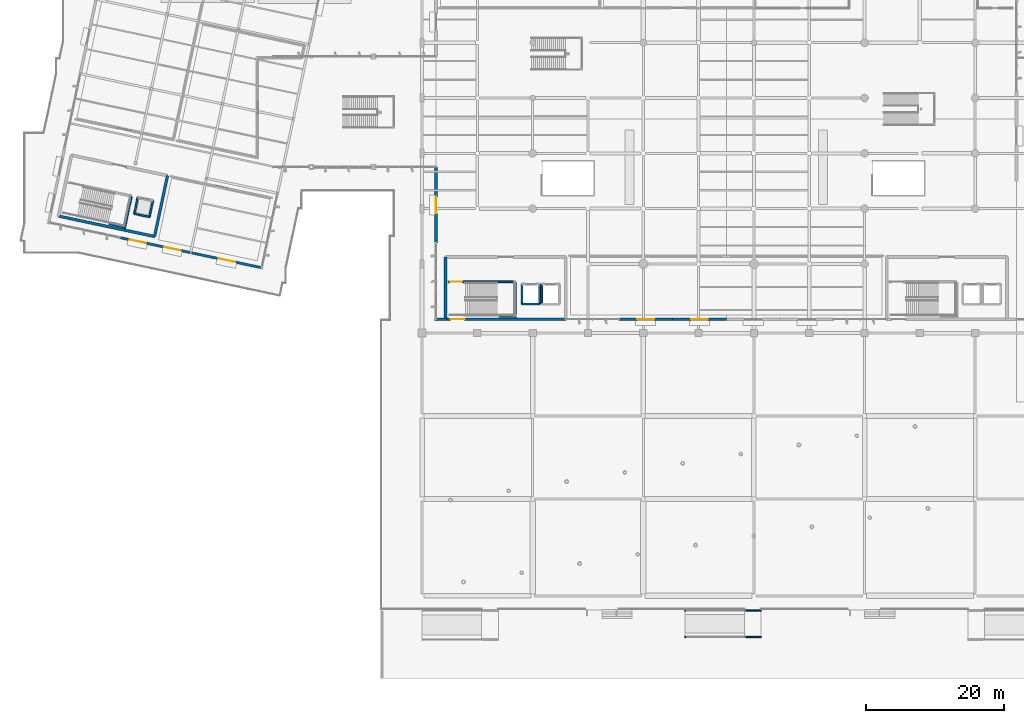
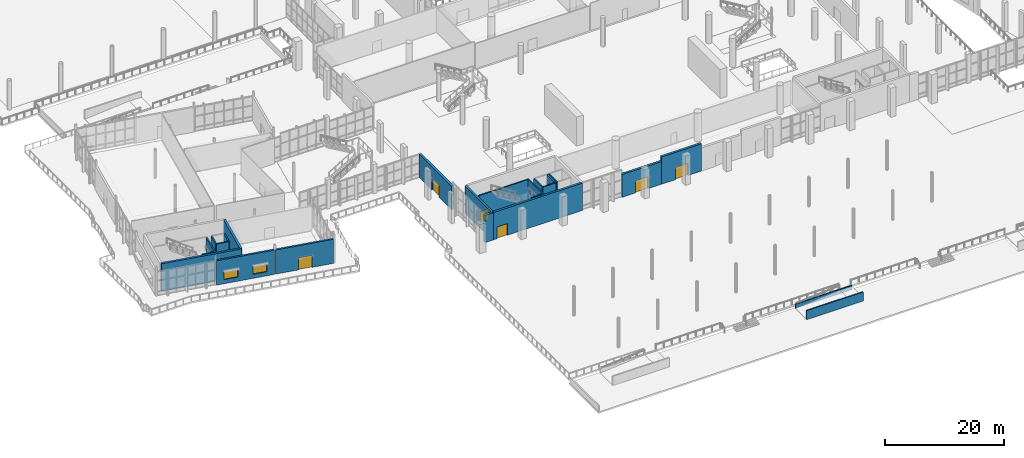
# One storey, part 122 of 163: 24 walls, 6 doors, 2 windows, 8 openings.
"""IFC4 building model written with IfcOpenShell, lengths in metres."""

from ifc_helpers import new_model, si_unit, direction, frame, frame_2d, origin, place, context, subcontext, project, spatial, rectangle, extrude, material, layer, layer_set, type_object, element, fill, save


model = new_model("IFC4")

# Units and contexts
model_context = context("Model", 3, precision=1e-05, world=origin(), true_north=direction((0.0, 1.0)))
body_context = subcontext(model_context, "Body", "Model", "MODEL_VIEW")
ifc_project = project(units=[si_unit("LENGTHUNIT", "METRE"), si_unit("AREAUNIT", "SQUARE_METRE"), si_unit("VOLUMEUNIT", "CUBIC_METRE"), si_unit("PLANEANGLEUNIT", "RADIAN"), si_unit("MASSUNIT", "GRAM", prefix="KILO")], contexts=[model_context])

# Site, building, storey
site_placement = place(None, origin())
site = spatial("IfcSite", under=ifc_project, at=site_placement, CompositionType="ELEMENT")
building_placement = place(site_placement, origin())
building = spatial("IfcBuilding", under=site, at=building_placement, Name="Khorjan Park Terminus", CompositionType="ELEMENT")
storey_placement = place(building_placement, origin())
storey = spatial("IfcBuildingStorey", under=building, at=storey_placement, Name="L00", CompositionType="ELEMENT", Elevation=0.0)

# Walls
ifc_material_1 = material(Name="Concrete C50/60", Category="concrete")
ifc_layer_1 = layer(ifc_material_1, 0.4)
ifc_layer_set_1 = layer_set([ifc_layer_1], Name="Concrete C50/60")
wall_type_1 = type_object("IfcWallType", Name="CW-40", PredefinedType="SHEAR", material=ifc_layer_set_1)
wall_1_placement = place(storey_placement, frame((51.4, 37.0, 0.0), z_axis=(0.0, 0.0, 1.0), x_axis=(0.0, -1.0, 0.0)))
element("IfcWall", 1, at=wall_1_placement, inside=storey, type_object=wall_type_1, Name="West Concourse Core concrete shear wall CW-40 (L00-E4)", PredefinedType="SHEAR", context=body_context, shape_type="SweptSolid", body=[
    extrude(rectangle(XDim=9.0, YDim=0.4, at=frame_2d((4.5, 0.0))), origin(), (0.0, 0.0, 1.0), 5.64),
])
wall_2_placement = place(storey_placement, frame((-4.5767, 42.9243, 0.0), z_axis=(0.0, 0.0, 1.0), x_axis=(0.978148272054, -0.20790853248, 0.0)))
element("IfcWall", 2, at=wall_2_placement, inside=storey, type_object=wall_type_1, Name="Park Pavilion Exit Core concrete shear wall CW-40 (L00-E1)", PredefinedType="SHEAR", context=body_context, shape_type="SweptSolid", body=[
    extrude(rectangle(XDim=14.2, YDim=0.4, at=frame_2d((7.1, 0.0))), origin(), (0.0, 0.0, 1.0), 5.64),
])
wall_3_placement = place(storey_placement, frame((9.313, 39.972, 0.0), z_axis=(0.0, 0.0, 1.0), x_axis=(0.20791177806, 0.97814758219, 0.0)))
element("IfcWall", 3, at=wall_3_placement, inside=storey, type_object=wall_type_1, Name="Park Pavilion Exit Core concrete shear wall CW-40 (L00-E2)", PredefinedType="SHEAR", context=body_context, shape_type="SweptSolid", body=[
    extrude(rectangle(XDim=9.0, YDim=0.4, at=frame_2d((4.5, 0.0))), origin(), (0.0, 0.0, 1.0), 5.64),
])

# Wall, opening, door
ifc_layer_2 = layer(ifc_material_1, 0.4)
ifc_layer_set_2 = layer_set([ifc_layer_2], Name="Concrete C50/60")
wall_type_2 = type_object("IfcWallType", Name="CWE-40", PredefinedType="SHEAR", material=ifc_layer_set_2)
wall_4_placement = place(storey_placement, frame((51.4, 28.0, 0.0), z_axis=(0.0, 0.0, 1.0), x_axis=(1.0, 0.0, 0.0)))
wall_4 = element("IfcWall", 4, at=wall_4_placement, inside=storey, type_object=wall_type_2, Name="West Concourse Core concrete shear wall CWE-40 (L00-E1)", PredefinedType="SHEAR", context=body_context, shape_type="SweptSolid", body=[
    extrude(rectangle(XDim=17.4, YDim=0.4, at=frame_2d((8.7, 0.0))), origin(), (0.0, 0.0, 1.0), 5.64),
])
opening_1_placement = place(wall_4_placement, frame((0.75, 0.0, 0.0)))
opening_1 = element("IfcOpeningElement", 5, at=opening_1_placement, cuts=wall_4, Name="Opening ED-20", PredefinedType="OPENING", context=body_context, shape_type="SweptSolid", body=[
    extrude(rectangle(XDim=2.0, YDim=2.4, at=frame_2d((1.0, 1.2))), frame((0.0, 0.21, 0.0), z_axis=(0.0, -1.0, 0.0), x_axis=(1.0, 0.0, 0.0)), (0.0, 0.0, 1.0), 0.42),
])
ifc_material_2 = material(Name="Anodized Bronze Aluminium & Safety Glass", Category="aluminium")
door_type_1 = type_object("IfcDoorType", Name="ED-20", OperationType="NOTDEFINED", PredefinedType="DOOR", material=ifc_material_2)
door_1_placement = place(opening_1_placement, frame((2.0, 0.0, 0.0), z_axis=(0.0, 0.0, 1.0), x_axis=(-1.0, 0.0, 0.0)))
door_1 = element("IfcDoor", 6, at=door_1_placement, inside=storey, type_object=door_type_1, Name="West Concourse Core ground exit discharge door ED-20", OperationType="DOUBLE_DOOR_SINGLE_SWING", OverallHeight=2.4, OverallWidth=2.0, PredefinedType="DOOR", context=body_context, shape_type="SweptSolid", body=[
    extrude(rectangle(XDim=2.0, YDim=2.4, at=frame_2d((1.0, 1.2))), frame((0.0, 0.025, 0.0), z_axis=(0.0, -1.0, 0.0), x_axis=(1.0, 0.0, 0.0)), (0.0, 0.0, 1.0), 0.05),
])
fill(opening_1, door_1)

# Wall, openings, windows
ifc_material_3 = material(Name="Pigmented Precast GRC & Concrete C40/50", Category="concrete")
ifc_layer_3 = layer(ifc_material_3, 0.35)
ifc_layer_set_3 = layer_set([ifc_layer_3], Name="Pigmented Precast GRC & Concrete C40/50")
wall_type_3 = type_object("IfcWallType", Name="EW-35", PredefinedType="STANDARD", material=ifc_layer_set_3)
wall_5_placement = place(storey_placement, frame((4.3737, 39.795, 0.0), z_axis=(0.0, 0.0, 1.0), x_axis=(0.978149513342, -0.207902692501, 0.0)))
wall_5 = element("IfcWall", 7, at=wall_5_placement, inside=storey, type_object=wall_type_3, Name="External pigmented-GRC insulated wall EW-35 (EW-V4-S-L00-B02)", PredefinedType="STANDARD", context=body_context, shape_type="SweptSolid", body=[
    extrude(rectangle(XDim=10.2894, YDim=0.35, at=frame_2d((5.1447, 0.0))), origin(), (0.0, 0.0, 1.0), 5.015),
])
opening_2_placement = place(wall_5_placement, frame((1.3724, 0.0, 0.85)))
opening_2 = element("IfcOpeningElement", 8, at=opening_2_placement, cuts=wall_5, Name="Opening WN-24", PredefinedType="OPENING", context=body_context, shape_type="SweptSolid", body=[
    extrude(rectangle(XDim=2.4, YDim=1.8, at=frame_2d((1.2, 0.9))), frame((0.0, 0.185, 0.0), z_axis=(0.0, -1.0, 0.0), x_axis=(1.0, 0.0, 0.0)), (0.0, 0.0, 1.0), 0.37),
])
opening_3_placement = place(wall_5_placement, frame((6.5171, 0.0, 0.85)))
opening_3 = element("IfcOpeningElement", 9, at=opening_3_placement, cuts=wall_5, Name="Opening WN-24", PredefinedType="OPENING", context=body_context, shape_type="SweptSolid", body=[
    extrude(rectangle(XDim=2.4, YDim=1.8, at=frame_2d((1.2, 0.9))), frame((0.0, 0.185, 0.0), z_axis=(0.0, -1.0, 0.0), x_axis=(1.0, 0.0, 0.0)), (0.0, 0.0, 1.0), 0.37),
])
ifc_material_4 = material(Name="Anodized Bronze Aluminium & Low-E Glass", Category="aluminium")
window_type = type_object("IfcWindowType", Name="WN-24", PartitioningType="SINGLE_PANEL", PredefinedType="WINDOW", material=ifc_material_4)
window_1_placement = place(opening_2_placement, origin())
window_1 = element("IfcWindow", 10, at=window_1_placement, inside=storey, type_object=window_type, Name="Solar-control exterior window WN-24 (WN-EW-V4-S-L00-B02-1)", OverallHeight=1.8, OverallWidth=2.4, PartitioningType="SINGLE_PANEL", PredefinedType="WINDOW", context=body_context, shape_type="SweptSolid", body=[
    extrude(rectangle(XDim=2.4, YDim=1.8, at=frame_2d((1.2, 0.9))), frame((0.0, 0.03, 0.0), z_axis=(0.0, -1.0, 0.0), x_axis=(1.0, 0.0, 0.0)), (0.0, 0.0, 1.0), 0.06),
])
fill(opening_2, window_1)
window_2_placement = place(opening_3_placement, origin())
window_2 = element("IfcWindow", 11, at=window_2_placement, inside=storey, type_object=window_type, Name="Solar-control exterior window WN-24 (WN-EW-V4-S-L00-B02-2)", OverallHeight=1.8, OverallWidth=2.4, PartitioningType="SINGLE_PANEL", PredefinedType="WINDOW", context=body_context, shape_type="SweptSolid", body=[
    extrude(rectangle(XDim=2.4, YDim=1.8, at=frame_2d((1.2, 0.9))), frame((0.0, 0.03, 0.0), z_axis=(0.0, -1.0, 0.0), x_axis=(1.0, 0.0, 0.0)), (0.0, 0.0, 1.0), 0.06),
])
fill(opening_3, window_2)

# Wall, opening, door
wall_6_placement = place(storey_placement, frame((14.6437, 37.6121, 0.0), z_axis=(0.0, 0.0, 1.0), x_axis=(0.978146142238, -0.207918552381, 0.0)))
wall_6 = element("IfcWall", 12, at=wall_6_placement, inside=storey, type_object=wall_type_3, Name="External pigmented-GRC insulated wall EW-35 (EW-V4-S-L00-B03)", PredefinedType="STANDARD", context=body_context, shape_type="SweptSolid", body=[
    extrude(rectangle(XDim=10.2805, YDim=0.35, at=frame_2d((5.1402, 0.0))), origin(), (0.0, 0.0, 1.0), 4.975),
])
opening_4_placement = place(wall_6_placement, frame((4.05, 0.0, 0.0)))
opening_4 = element("IfcOpeningElement", 13, at=opening_4_placement, cuts=wall_6, Name="Opening ED-24", PredefinedType="OPENING", context=body_context, shape_type="SweptSolid", body=[
    extrude(rectangle(XDim=2.4, YDim=2.5, at=frame_2d((1.2, 1.25))), frame((0.0, 0.185, 0.0), z_axis=(0.0, -1.0, 0.0), x_axis=(1.0, 0.0, 0.0)), (0.0, 0.0, 1.0), 0.37),
])
door_type_2 = type_object("IfcDoorType", Name="ED-24", OperationType="NOTDEFINED", PredefinedType="DOOR", material=ifc_material_2)
door_2_placement = place(opening_4_placement, origin())
door_2 = element("IfcDoor", 14, at=door_2_placement, inside=storey, type_object=door_type_2, Name="Exterior door ED-24 (DR-EW-V4-S-L00-B03)", OperationType="DOUBLE_DOOR_SINGLE_SWING", OverallHeight=2.5, OverallWidth=2.4, PredefinedType="DOOR", context=body_context, shape_type="SweptSolid", body=[
    extrude(rectangle(XDim=2.4, YDim=2.5, at=frame_2d((1.2, 1.25))), frame((0.0, 0.025, 0.0), z_axis=(0.0, -1.0, 0.0), x_axis=(1.0, 0.0, 0.0)), (0.0, 0.0, 1.0), 0.05),
])
fill(opening_4, door_2)

# Wall
ifc_layer_4 = layer(ifc_material_3, 0.42)
ifc_layer_set_4 = layer_set([ifc_layer_4], Name="Pigmented Precast GRC & Concrete C40/50")
wall_type_4 = type_object("IfcWallType", Name="EW-42", PredefinedType="STANDARD", material=ifc_layer_set_4)
wall_7_placement = place(storey_placement, frame((49.8, 28.0, 0.0), z_axis=(0.0, 0.0, 1.0), x_axis=(1.0, 0.0, 0.0)))
element("IfcWall", 15, at=wall_7_placement, inside=storey, type_object=wall_type_4, Name="External pigmented-GRC pier wall EW-42 (L00-1)", PredefinedType="STANDARD", context=body_context, shape_type="SweptSolid", body=[
    extrude(rectangle(XDim=1.7, YDim=0.42, at=frame_2d((0.85, 0.0))), origin(), (0.0, 0.0, 1.0), 5.62),
])

# Wall, opening, door
wall_8_placement = place(storey_placement, frame((76.5, 28.0, 0.0), z_axis=(0.0, 0.0, 1.0), x_axis=(1.0, 0.0, 0.0)))
wall_8 = element("IfcWall", 16, at=wall_8_placement, inside=storey, type_object=wall_type_4, Name="External pigmented-GRC insulated wall EW-42 (EW-V2-S-L00-03)", PredefinedType="STANDARD", context=body_context, shape_type="SweptSolid", body=[
    extrude(rectangle(XDim=7.7, YDim=0.42, at=frame_2d((3.85, 0.0))), origin(), (0.0, 0.0, 1.0), 4.685),
])
opening_5_placement = place(wall_8_placement, frame((2.65, 0.0, 0.0)))
opening_5 = element("IfcOpeningElement", 17, at=opening_5_placement, cuts=wall_8, Name="Opening ED-24", PredefinedType="OPENING", context=body_context, shape_type="SweptSolid", body=[
    extrude(rectangle(XDim=2.4, YDim=2.5, at=frame_2d((1.2, 1.25))), frame((0.0, 0.22, 0.0), z_axis=(0.0, -1.0, 0.0), x_axis=(1.0, 0.0, 0.0)), (0.0, 0.0, 1.0), 0.44),
])
door_3_placement = place(opening_5_placement, origin())
door_3 = element("IfcDoor", 18, at=door_3_placement, inside=storey, type_object=door_type_2, Name="Exterior door ED-24 (DR-EW-V2-S-L00-03)", OperationType="DOUBLE_DOOR_SINGLE_SWING", OverallHeight=2.5, OverallWidth=2.4, PredefinedType="DOOR", context=body_context, shape_type="SweptSolid", body=[
    extrude(rectangle(XDim=2.4, YDim=2.5, at=frame_2d((1.2, 1.25))), frame((0.0, 0.025, 0.0), z_axis=(0.0, -1.0, 0.0), x_axis=(1.0, 0.0, 0.0)), (0.0, 0.0, 1.0), 0.05),
])
fill(opening_5, door_3)

wall_9_placement = place(storey_placement, frame((84.2, 28.0, 0.0), z_axis=(0.0, 0.0, 1.0), x_axis=(1.0, 0.0, 0.0)))
wall_9 = element("IfcWall", 19, at=wall_9_placement, inside=storey, type_object=wall_type_4, Name="External pigmented-GRC insulated wall EW-42 (EW-V2-S-L00-04)", PredefinedType="STANDARD", context=body_context, shape_type="SweptSolid", body=[
    extrude(rectangle(XDim=7.8, YDim=0.42, at=frame_2d((3.9, 0.0))), origin(), (0.0, 0.0, 1.0), 5.62),
])
opening_6_placement = place(wall_9_placement, frame((2.7, 0.0, 0.0)))
opening_6 = element("IfcOpeningElement", 20, at=opening_6_placement, cuts=wall_9, Name="Opening ED-24", PredefinedType="OPENING", context=body_context, shape_type="SweptSolid", body=[
    extrude(rectangle(XDim=2.4, YDim=2.5, at=frame_2d((1.2, 1.25))), frame((0.0, 0.22, 0.0), z_axis=(0.0, -1.0, 0.0), x_axis=(1.0, 0.0, 0.0)), (0.0, 0.0, 1.0), 0.44),
])
door_4_placement = place(opening_6_placement, origin())
door_4 = element("IfcDoor", 21, at=door_4_placement, inside=storey, type_object=door_type_2, Name="Exterior door ED-24 (DR-EW-V2-S-L00-04)", OperationType="DOUBLE_DOOR_SINGLE_SWING", OverallHeight=2.5, OverallWidth=2.4, PredefinedType="DOOR", context=body_context, shape_type="SweptSolid", body=[
    extrude(rectangle(XDim=2.4, YDim=2.5, at=frame_2d((1.2, 1.25))), frame((0.0, 0.025, 0.0), z_axis=(0.0, -1.0, 0.0), x_axis=(1.0, 0.0, 0.0)), (0.0, 0.0, 1.0), 0.05),
])
fill(opening_6, door_4)

wall_10_placement = place(storey_placement, frame((50.0, 50.0, 0.0), z_axis=(0.0, 0.0, 1.0), x_axis=(0.0, -1.0, 0.0)))
wall_10 = element("IfcWall", 22, at=wall_10_placement, inside=storey, type_object=wall_type_4, Name="External pigmented-GRC insulated wall EW-42 (EW-V2-W-L00-02)", PredefinedType="STANDARD", context=body_context, shape_type="SweptSolid", body=[
    extrude(rectangle(XDim=11.0, YDim=0.42, at=frame_2d((5.5, 0.0))), origin(), (0.0, 0.0, 1.0), 4.815),
])
opening_7_placement = place(wall_10_placement, frame((4.3, 0.0, 0.0)))
opening_7 = element("IfcOpeningElement", 23, at=opening_7_placement, cuts=wall_10, Name="Opening ED-24", PredefinedType="OPENING", context=body_context, shape_type="SweptSolid", body=[
    extrude(rectangle(XDim=2.4, YDim=2.5, at=frame_2d((1.2, 1.25))), frame((0.0, 0.22, 0.0), z_axis=(0.0, -1.0, 0.0), x_axis=(1.0, 0.0, 0.0)), (0.0, 0.0, 1.0), 0.44),
])
door_5_placement = place(opening_7_placement, origin())
door_5 = element("IfcDoor", 24, at=door_5_placement, inside=storey, type_object=door_type_2, Name="Exterior door ED-24 (DR-EW-V2-W-L00-02)", OperationType="DOUBLE_DOOR_SINGLE_SWING", OverallHeight=2.5, OverallWidth=2.4, PredefinedType="DOOR", context=body_context, shape_type="SweptSolid", body=[
    extrude(rectangle(XDim=2.4, YDim=2.5, at=frame_2d((1.2, 1.25))), frame((0.0, 0.025, 0.0), z_axis=(0.0, -1.0, 0.0), x_axis=(1.0, 0.0, 0.0)), (0.0, 0.0, 1.0), 0.05),
])
fill(opening_7, door_5)

# Walls
ifc_layer_5 = layer(ifc_material_3, 0.22)
ifc_layer_set_5 = layer_set([ifc_layer_5], Name="Pigmented Precast GRC & Concrete C40/50")
wall_type_5 = type_object("IfcWallType", Name="EW-PAR-220", PredefinedType="PARAPET", material=ifc_layer_set_5)
wall_11_placement = place(storey_placement, frame((86.0, -17.95, -0.72), z_axis=(0.0, 0.0, 1.0), x_axis=(1.0, 0.0, 0.0)))
element("IfcWall", 25, at=wall_11_placement, inside=storey, type_object=wall_type_5, Name="Accessible ramp cheek wall (GRMP-S-M-S)", PredefinedType="PARAPET", context=body_context, shape_type="SweptSolid", body=[
    extrude(rectangle(XDim=11.04, YDim=0.22, at=frame_2d((5.52, 0.0))), origin(), (0.0, 0.0, 1.0), 1.86),
])
wall_12_placement = place(storey_placement, frame((86.0, -14.13, -0.72), z_axis=(0.0, 0.0, 1.0), x_axis=(1.0, 0.0, 0.0)))
element("IfcWall", 26, at=wall_12_placement, inside=storey, type_object=wall_type_5, Name="Accessible ramp cheek wall (GRMP-S-M-N)", PredefinedType="PARAPET", context=body_context, shape_type="SweptSolid", body=[
    extrude(rectangle(XDim=11.04, YDim=0.22, at=frame_2d((5.52, 0.0))), origin(), (0.0, 0.0, 1.0), 0.87),
])
ifc_material_5 = material(Name="Concrete C40/50", Category="concrete")
ifc_layer_6 = layer(ifc_material_5, 0.25)
ifc_layer_set_6 = layer_set([ifc_layer_6], Name="Concrete C40/50")
wall_type_6 = type_object("IfcWallType", Name="SW-25", PredefinedType="SOLIDWALL", material=ifc_layer_set_6)
wall_13_placement = place(storey_placement, frame((62.45, 30.21, 0.0), z_axis=(0.0, 0.0, 1.0), x_axis=(1.0, 0.0, 0.0)))
element("IfcWall", 27, at=wall_13_placement, inside=storey, type_object=wall_type_6, Name="Lift L01 concrete shaft wall SW-25 (L00-1)", PredefinedType="SOLIDWALL", context=body_context, shape_type="SweptSolid", body=[
    extrude(rectangle(XDim=2.54, YDim=0.25, at=frame_2d((1.27, 0.0))), origin(), (0.0, 0.0, 1.0), 5.64),
])
for number, where, z_axis, x_axis, name in (
    (28, (64.99, 30.21, 0.0), (0.0, 0.0, 1.0), (0.0, 1.0, 0.0), "Lift L01 concrete shaft wall SW-25 (L00-2)"),
    (29, (62.45, 33.05, 0.0), (0.0, 0.0, 1.0), (0.0, -1.0, 0.0), "Lift L01 concrete shaft wall SW-25 (L00-4)"),
    (30, (65.31, 33.05, 0.0), (0.0, 0.0, 1.0), (0.0, -1.0, 0.0), "Lift L02 concrete shaft wall SW-25 (L00-4)"),
):
    element("IfcWall", number, at=place(storey_placement, frame(where, z_axis=z_axis, x_axis=x_axis)), inside=storey, type_object=wall_type_6, Name=name, PredefinedType="SOLIDWALL", context=body_context, shape_type="SweptSolid", body=[
        extrude(rectangle(XDim=2.84, YDim=0.25, at=frame_2d((1.42, 0.0))), origin(), (0.0, 0.0, 1.0), 5.64),
    ])
wall_14_placement = place(storey_placement, frame((6.3832, 43.263, 0.0), z_axis=(0.0, 0.0, 1.0), x_axis=(0.978150567781, -0.207897731466, 0.0)))
element("IfcWall", 31, at=wall_14_placement, inside=storey, type_object=wall_type_6, Name="Lift L11 concrete shaft wall SW-25 (L00-1)", PredefinedType="SOLIDWALL", context=body_context, shape_type="SweptSolid", body=[
    extrude(rectangle(XDim=2.24, YDim=0.25, at=frame_2d((1.12, 0.0))), origin(), (0.0, 0.0, 1.0), 5.64),
])
for number, where, z_axis, x_axis, name in (
    (32, (8.5743, 42.7973, 0.0), (0.0, 0.0, 1.0), (0.207908261464, 0.978148329659, 0.0), "Lift L11 concrete shaft wall SW-25 (L00-2)"),
    (33, (6.8905, 45.6497, 0.0), (0.0, 0.0, 1.0), (-0.207908261464, -0.978148329659, 0.0), "Lift L11 concrete shaft wall SW-25 (L00-4)"),
):
    element("IfcWall", number, at=place(storey_placement, frame(where, z_axis=z_axis, x_axis=x_axis)), inside=storey, type_object=wall_type_6, Name=name, PredefinedType="SOLIDWALL", context=body_context, shape_type="SweptSolid", body=[
        extrude(rectangle(XDim=2.44, YDim=0.25, at=frame_2d((1.22, 0.0))), origin(), (0.0, 0.0, 1.0), 5.64),
    ])

# Wall, opening, door
wall_15_placement = place(storey_placement, frame((51.78, 33.435, 0.0), z_axis=(0.0, 0.0, 1.0), x_axis=(1.0, 0.0, 0.0)))
wall_15 = element("IfcWall", 34, at=wall_15_placement, inside=storey, type_object=wall_type_6, Name="West Concourse Core structural stairwell wall SW-25 (L00)", PredefinedType="SOLIDWALL", context=body_context, shape_type="SweptSolid", body=[
    extrude(rectangle(XDim=9.745, YDim=0.25, at=frame_2d((4.8725, 0.0))), origin(), (0.0, 0.0, 1.0), 5.62),
])
opening_8_placement = place(wall_15_placement, frame((0.25, 0.0, 0.0)))
opening_8 = element("IfcOpeningElement", 35, at=opening_8_placement, cuts=wall_15, Name="Opening FD-18", PredefinedType="OPENING", context=body_context, shape_type="SweptSolid", body=[
    extrude(rectangle(XDim=1.8, YDim=2.25, at=frame_2d((0.9, 1.125))), frame((0.0, 0.135, 0.0), z_axis=(0.0, -1.0, 0.0), x_axis=(1.0, 0.0, 0.0)), (0.0, 0.0, 1.0), 0.27),
])
ifc_material_6 = material(Name="Fire-Rated Steel Double Door", Category="steel")
door_type_3 = type_object("IfcDoorType", Name="FD-18", OperationType="NOTDEFINED", PredefinedType="DOOR", material=ifc_material_6)
door_6_placement = place(opening_8_placement, origin())
door_6 = element("IfcDoor", 36, at=door_6_placement, inside=storey, type_object=door_type_3, Name="West Concourse Core stairwell fire door FD-18 (L00)", OperationType="DOUBLE_DOOR_SINGLE_SWING", OverallHeight=2.25, OverallWidth=1.8, PredefinedType="DOOR", context=body_context, shape_type="SweptSolid", body=[
    extrude(rectangle(XDim=1.8, YDim=2.25, at=frame_2d((0.9, 1.125))), frame((0.0, 0.025, 0.0), z_axis=(0.0, -1.0, 0.0), x_axis=(1.0, 0.0, 0.0)), (0.0, 0.0, 1.0), 0.05),
])
fill(opening_8, door_6)

# Walls
wall_16_placement = place(storey_placement, frame((61.525, 28.2, 0.0), z_axis=(0.0, 0.0, 1.0), x_axis=(0.0, 1.0, 0.0)))
element("IfcWall", 37, at=wall_16_placement, inside=storey, type_object=wall_type_6, Name="West Concourse Core stairwell end bearing wall SW-25 (L00)", PredefinedType="SOLIDWALL", context=body_context, shape_type="SweptSolid", body=[
    extrude(rectangle(XDim=5.11, YDim=0.25, at=frame_2d((2.555, 0.0))), origin(), (0.0, 0.0, 1.0), 5.62),
])
wall_17_placement = place(storey_placement, frame((59.2, 28.425, 0.0), z_axis=(0.0, 0.0, 1.0), x_axis=(1.0, 0.0, 0.0)))
element("IfcWall", 38, at=wall_17_placement, inside=storey, type_object=wall_type_6, Name="West Concourse Core half-landing bearing wall SW-25 (L00)", PredefinedType="SOLIDWALL", context=body_context, shape_type="SweptSolid", body=[
    extrude(rectangle(XDim=2.2, YDim=0.25, at=frame_2d((1.1, 0.0))), origin(), (0.0, 0.0, 1.0), 5.62),
])
wall_18_placement = place(storey_placement, frame((4.9774, 41.098, 0.0), z_axis=(0.0, 0.0, 1.0), x_axis=(0.207897606308, 0.978150594383, 0.0)))
element("IfcWall", 39, at=wall_18_placement, inside=storey, type_object=wall_type_6, Name="Park Pavilion Exit Core stairwell end bearing wall SW-25 (L00)", PredefinedType="SOLIDWALL", context=body_context, shape_type="SweptSolid", body=[
    extrude(rectangle(XDim=4.71, YDim=0.25, at=frame_2d((2.355, 0.0))), origin(), (0.0, 0.0, 1.0), 5.62),
])
wall_19_placement = place(storey_placement, frame((2.75, 41.8015, 0.0), z_axis=(0.0, 0.0, 1.0), x_axis=(0.978147643724, -0.207911488563, 0.0)))
element("IfcWall", 40, at=wall_19_placement, inside=storey, type_object=wall_type_6, Name="Park Pavilion Exit Core half-landing bearing wall SW-25 (L00)", PredefinedType="SOLIDWALL", context=body_context, shape_type="SweptSolid", body=[
    extrude(rectangle(XDim=2.2, YDim=0.25, at=frame_2d((1.1, 0.0))), origin(), (0.0, 0.0, 1.0), 5.62),
])

save(model, "model.ifc")
